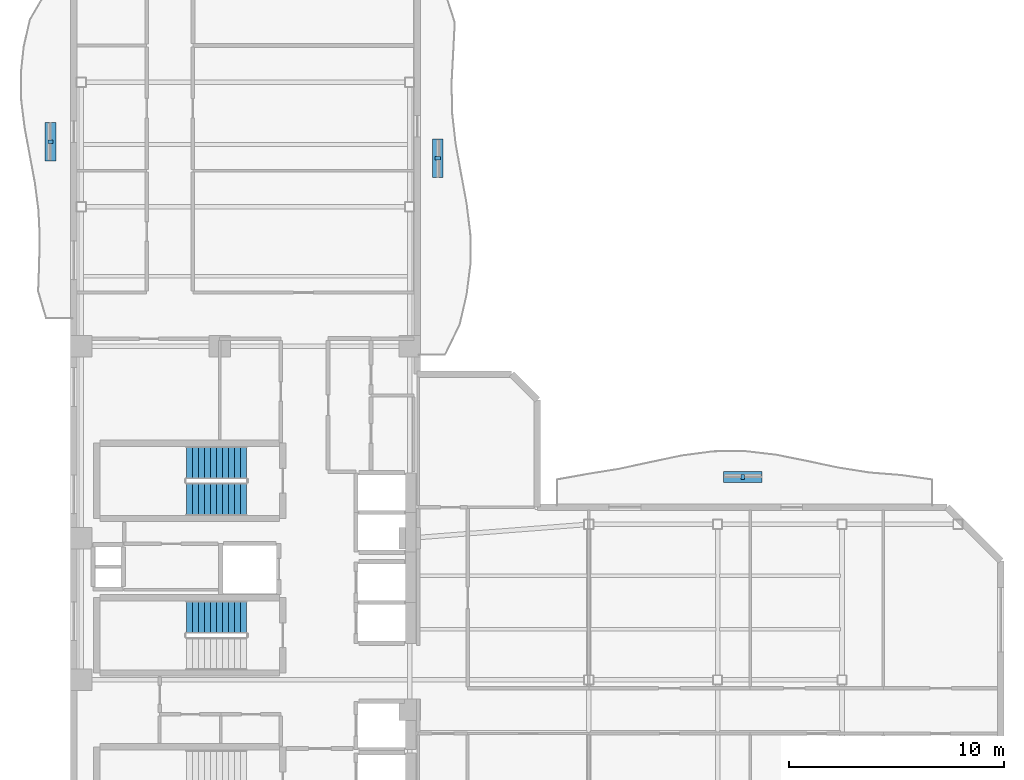
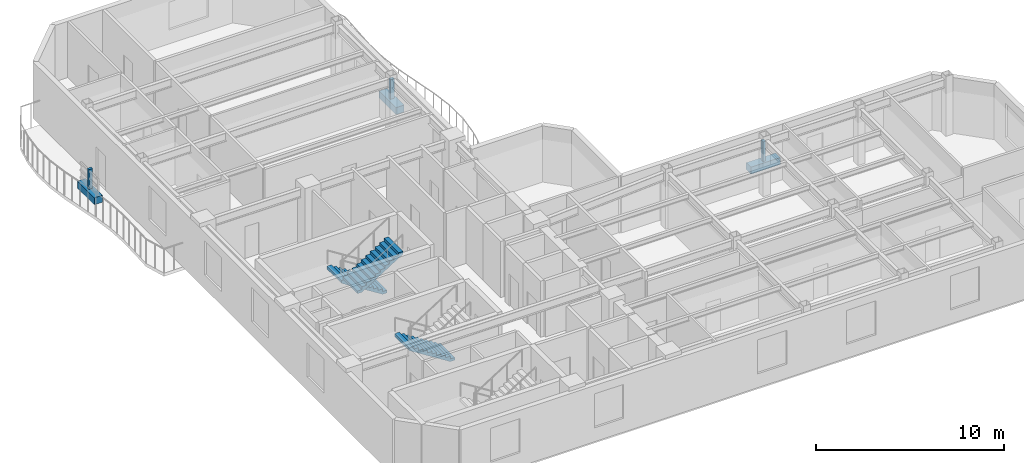
# One storey, part 6 of 9: 6 discrete accessories, 3 stair flights, 2 elements without a shape of their own.
"""IFC4 building model written with IfcOpenShell, lengths in metres."""

from ifc_helpers import new_model, si_unit, direction, frame, origin, origin_2d, place, context, subcontext, project, spatial, polyline, rectangle, outline, extrude, material, type_object, element, aggregate, save


model = new_model("IFC4")

# Units and contexts
model_context = context("Model", 3, precision=1e-05, world=origin(), true_north=direction((0.0, 1.0)))
body_context = subcontext(model_context, "Body", "Model", "MODEL_VIEW")
ifc_project = project(units=[si_unit("LENGTHUNIT", "METRE"), si_unit("AREAUNIT", "SQUARE_METRE"), si_unit("VOLUMEUNIT", "CUBIC_METRE"), si_unit("PLANEANGLEUNIT", "RADIAN"), si_unit("MASSUNIT", "GRAM", prefix="KILO")], contexts=[model_context])

# Site, building, storey
site_placement = place(None, origin())
site = spatial("IfcSite", under=ifc_project, at=site_placement, CompositionType="ELEMENT")
building_placement = place(site_placement, origin())
building = spatial("IfcBuilding", under=site, at=building_placement, Name="Mawjaban Terraces University", CompositionType="ELEMENT")
storey_placement = place(building_placement, frame((0.0, 0.0, 234.300048828125)))
storey = spatial("IfcBuildingStorey", under=building, at=storey_placement, Name="L57", CompositionType="ELEMENT", Elevation=234.300048828125)

# Stair, stair flights
ifc_material_1 = material(Name="Concrete C40/50", Category="concrete")
stair_type = type_object("IfcStairType", Name="Stair_Core1550_H39", PredefinedType="HALF_TURN_STAIR", material=ifc_material_1)
stair_1_placement = place(storey_placement, origin())
stair_1 = element("IfcStair", 1, at=stair_1_placement, inside=storey, type_object=stair_type, Name="L57 Core Exit Stair 2", PredefinedType="HALF_TURN_STAIR")
stair_flight_type = type_object("IfcStairFlightType", Name="Flight_Core1550_H39", PredefinedType="STRAIGHT", material=ifc_material_1)
stair_flight_1_placement = place(storey_placement, frame((30.050048828125, 18.074951171875, 0.0), z_axis=(0.0, 0.0, 1.0), x_axis=(-1.0, 0.0, 0.0)))
stair_flight_1 = element("IfcStairFlight", 2, at=stair_flight_1_placement, type_object=stair_flight_type, Name="ST-2 flight 1", NumberOfRisers=11, NumberOfTreads=10, PredefinedType="STRAIGHT", RiserHeight=0.177272727, TreadLength=0.28, context=body_context, shape_type="SweptSolid", body=[
    extrude(outline(polyline([(0.0, 0.0), (0.0, 0.17724609375), (0.280029296875, 0.17724609375), (0.280029296875, 0.3544921875), (0.56005859375, 0.3544921875), (0.56005859375, 0.53173828125), (0.840087890625, 0.53173828125), (0.840087890625, 0.708984375), (1.1201171875, 0.708984375), (1.1201171875, 0.886474609375), (1.39990234375, 0.886474609375), (1.39990234375, 1.063720703125), (1.679931640625, 1.063720703125), (1.679931640625, 1.240966796875), (1.9599609375, 1.240966796875), (1.9599609375, 1.418212890625), (2.239990234375, 1.418212890625), (2.239990234375, 1.595458984375), (2.52001953125, 1.595458984375), (2.52001953125, 1.772705078125), (2.800048828125, 1.772705078125), (2.800048828125, 1.949951171875), (2.800048828125, 1.59521484375), (0.2802734375, 0.0), (0.0, 0.0)])), frame((0.0, 0.77490234375, 0.0), z_axis=(0.0, -1.0, 0.0), x_axis=(1.0, 0.0, 0.0)), (0.0, 0.0, 1.0), 1.550048828125),
])
stair_flight_2_placement = place(storey_placement, frame((27.25, 16.375, 1.949951171875), z_axis=(0.0, 0.0, 1.0), x_axis=(1.0, 0.0, 0.0)))
stair_flight_2 = element("IfcStairFlight", 3, at=stair_flight_2_placement, type_object=stair_flight_type, Name="ST-2 flight 2", NumberOfRisers=11, NumberOfTreads=10, PredefinedType="STRAIGHT", RiserHeight=0.177272727, TreadLength=0.28, context=body_context, shape_type="SweptSolid", body=[
    extrude(outline(polyline([(0.0, 0.0), (0.0, 0.17724609375), (0.280029296875, 0.17724609375), (0.280029296875, 0.3544921875), (0.56005859375, 0.3544921875), (0.56005859375, 0.53173828125), (0.840087890625, 0.53173828125), (0.840087890625, 0.708984375), (1.1201171875, 0.708984375), (1.1201171875, 0.886474609375), (1.39990234375, 0.886474609375), (1.39990234375, 1.063720703125), (1.679931640625, 1.063720703125), (1.679931640625, 1.240966796875), (1.9599609375, 1.240966796875), (1.9599609375, 1.418212890625), (2.239990234375, 1.418212890625), (2.239990234375, 1.595458984375), (2.52001953125, 1.595458984375), (2.52001953125, 1.772705078125), (2.800048828125, 1.772705078125), (2.800048828125, 1.949951171875), (2.800048828125, 1.59521484375), (0.2802734375, 0.0), (0.0, 0.0)])), frame((0.0, 0.77490234375, 0.0), z_axis=(0.0, -1.0, 0.0), x_axis=(1.0, 0.0, 0.0)), (0.0, 0.0, 1.0), 1.550048828125),
])
aggregate(stair_1, [stair_flight_1, stair_flight_2])

# Stair, stair flight
stair_2_placement = place(storey_placement, origin())
stair_2 = element("IfcStair", 4, at=stair_2_placement, inside=storey, type_object=stair_type, Name="L57 Core Exit Stair 3", PredefinedType="HALF_TURN_STAIR")
stair_flight_3_placement = place(storey_placement, frame((30.050048828125, 10.875, 0.0), z_axis=(0.0, 0.0, 1.0), x_axis=(-1.0, 0.0, 0.0)))
stair_flight_3 = element("IfcStairFlight", 5, at=stair_flight_3_placement, type_object=stair_flight_type, Name="ST-3 flight 1", NumberOfRisers=11, NumberOfTreads=10, PredefinedType="STRAIGHT", RiserHeight=0.177272727, TreadLength=0.28, context=body_context, shape_type="SweptSolid", body=[
    extrude(outline(polyline([(0.0, 0.0), (0.0, 0.17724609375), (0.280029296875, 0.17724609375), (0.280029296875, 0.3544921875), (0.56005859375, 0.3544921875), (0.56005859375, 0.53173828125), (0.840087890625, 0.53173828125), (0.840087890625, 0.708984375), (1.1201171875, 0.708984375), (1.1201171875, 0.886474609375), (1.39990234375, 0.886474609375), (1.39990234375, 1.063720703125), (1.679931640625, 1.063720703125), (1.679931640625, 1.240966796875), (1.9599609375, 1.240966796875), (1.9599609375, 1.418212890625), (2.239990234375, 1.418212890625), (2.239990234375, 1.595458984375), (2.52001953125, 1.595458984375), (2.52001953125, 1.772705078125), (2.800048828125, 1.772705078125), (2.800048828125, 1.949951171875), (2.800048828125, 1.59521484375), (0.2802734375, 0.0), (0.0, 0.0)])), frame((0.0, 0.77490234375, 0.0), z_axis=(0.0, -1.0, 0.0), x_axis=(1.0, 0.0, 0.0)), (0.0, 0.0, 1.0), 1.550048828125),
])
aggregate(stair_2, [stair_flight_3])

# Discrete accessories
ifc_material_2 = material(Name="Stainless steel 316L", Category="steel")
discrete_accessory_type_1 = type_object("IfcDiscreteAccessoryType", Name="FacadeScreenBracket_Steel", PredefinedType="BRACKET", material=ifc_material_2)
for number, where, z_axis, x_axis, name in (
    (6, (20.9130859375, 33.033935546875, 0.419921875), (0.0, 0.0, 1.0), (0.0, 1.0, 0.0), "L57 Balcony Screen Support Bracket west"),
    (7, (53.178955078125, 17.405029296875, 0.419921875), (0.0, 0.0, 1.0), (1.0, 0.0, 0.0), "L57 Balcony Screen Support Bracket inner_north"),
    (8, (38.958984375, 32.25390625, 0.419921875), (0.0, 0.0, 1.0), (0.0, 1.0, 0.0), "L57 Balcony Screen Support Bracket inner_east"),
):
    element("IfcDiscreteAccessory", number, at=place(storey_placement, frame(where, z_axis=z_axis, x_axis=x_axis)), inside=storey, type_object=discrete_accessory_type_1, Name=name, PredefinedType="BRACKET", context=body_context, shape_type="SweptSolid", body=[
        extrude(rectangle(XDim=0.159912109375, YDim=0.239990234375, at=origin_2d()), origin(), (0.0, 0.0, 1.0), 1.300048828125),
    ])
ifc_material_3 = material(Name="Precast architectural terracotta planter with engineered planting soil", Category="masonry")
discrete_accessory_type_2 = type_object("IfcDiscreteAccessoryType", Name="IrrigatedPlanterTrough_450", PredefinedType="USERDEFINED", material=ifc_material_3)
for number, where, z_axis, x_axis, name in (
    (9, (20.9130859375, 33.033935546875, -0.0048828125), (0.0, 0.0, 1.0), (0.0, 1.0, 0.0), "L57 Balcony Irrigated Planter west"),
    (10, (53.178955078125, 17.405029296875, -0.0048828125), (0.0, 0.0, 1.0), (1.0, 0.0, 0.0), "L57 Balcony Irrigated Planter inner_north"),
    (11, (38.958984375, 32.25390625, -0.0048828125), (0.0, 0.0, 1.0), (0.0, 1.0, 0.0), "L57 Balcony Irrigated Planter inner_east"),
):
    element("IfcDiscreteAccessory", number, at=place(storey_placement, frame(where, z_axis=z_axis, x_axis=x_axis)), inside=storey, type_object=discrete_accessory_type_2, Name=name, ObjectType="PLANTER", PredefinedType="USERDEFINED", context=body_context, shape_type="SweptSolid", body=[
        extrude(rectangle(XDim=1.800048828125, YDim=0.5, at=origin_2d()), origin(), (0.0, 0.0, 1.0), 0.449951171875),
    ])

save(model, "model.ifc")
